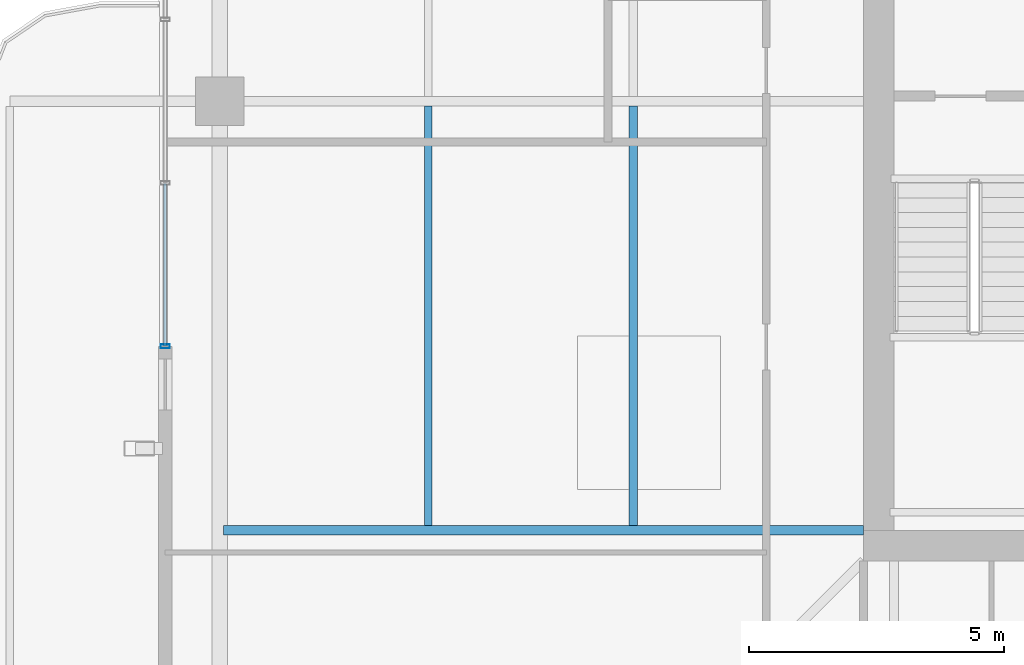
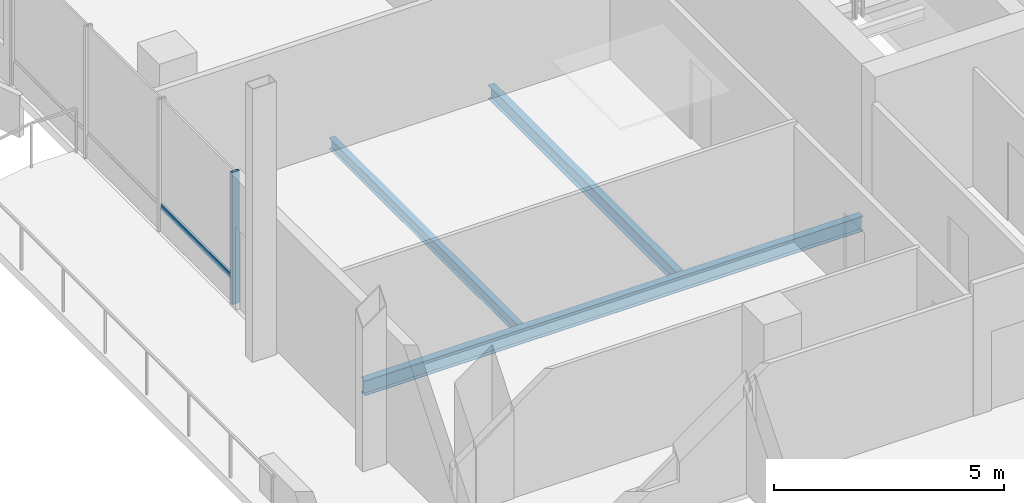
# One storey, part 6 of 20: 3 beams, 2 members, 1 element without a shape of its own.
"""IFC4 building model written with IfcOpenShell, lengths in metres."""

from ifc_helpers import new_model, si_unit, direction, frame, origin, origin_2d, place, context, subcontext, project, spatial, hollow_rectangle, i_section, extrude, material, layer, layer_set, material_profile, profile_set, type_object, element, aggregate, save


model = new_model("IFC4")

# Units and contexts
model_context = context("Model", 3, precision=1e-05, world=origin(), true_north=direction((0.0, 1.0)))
body_context = subcontext(model_context, "Body", "Model", "MODEL_VIEW")
ifc_project = project(units=[si_unit("LENGTHUNIT", "METRE"), si_unit("AREAUNIT", "SQUARE_METRE"), si_unit("VOLUMEUNIT", "CUBIC_METRE"), si_unit("PLANEANGLEUNIT", "RADIAN"), si_unit("MASSUNIT", "GRAM", prefix="KILO")], contexts=[model_context])

# Site, building, storey
site_placement = place(None, origin())
site = spatial("IfcSite", under=ifc_project, at=site_placement, CompositionType="ELEMENT")
building_placement = place(site_placement, origin())
building = spatial("IfcBuilding", under=site, at=building_placement, Name="Belovzor Exchange Tower", CompositionType="ELEMENT")
storey_placement = place(building_placement, frame((0.0, 0.0, 321.75)))
storey = spatial("IfcBuildingStorey", under=building, at=storey_placement, Name="L80", CompositionType="ELEMENT", Elevation=321.75)

# Beams
ifc_material_1 = material(Name="Steel S355", Category="steel")
ifc_material_profile_1 = material_profile(ifc_material_1, i_section(OverallWidth=0.169921875, OverallDepth=0.360107421875, WebThickness=0.008056640625, FlangeThickness=0.0126953125, at=origin_2d()))
ifc_profile_set_1 = profile_set([ifc_material_profile_1], Name="Steel S355")
beam_type_1 = type_object("IfcBeamType", Name="Secondary Infill Floor Joist IPE 360", PredefinedType="BEAM", material=ifc_profile_set_1)
beam_1_placement = place(storey_placement, frame((15.291015625, 20.489990234375, -0.419921875), z_axis=(0.0, 1.0, 0.0), x_axis=(-1.0, 0.0, 0.0)))
element("IfcBeam", 1, at=beam_1_placement, inside=storey, type_object=beam_type_1, Name="FJ-360 Secondary Infill Floor Joist IPE 360", PredefinedType="BEAM", context=body_context, shape_type="SweptSolid", body=[
    extrude(i_section(OverallWidth=0.169921875, OverallDepth=0.360107421875, WebThickness=0.008056640625, FlangeThickness=0.0126953125, at=origin_2d()), origin(), (0.0, 0.0, 1.0), 8.219970703125),
])
ifc_material_2 = material(Name="Steel S355", Category="steel")
ifc_material_profile_2 = material_profile(ifc_material_2, i_section(OverallWidth=0.14990234375, OverallDepth=0.300048828125, WebThickness=0.007080078125, FlangeThickness=0.0107421875, at=origin_2d()))
ifc_profile_set_2 = profile_set([ifc_material_profile_2], Name="Steel S355")
beam_type_2 = type_object("IfcBeamType", Name="Secondary Trim Floor Joist IPE 300", PredefinedType="BEAM", material=ifc_profile_set_2)
beam_2_placement = place(storey_placement, frame((11.282958984375, 20.489990234375, -0.389892578125), z_axis=(0.0, 1.0, 0.0), x_axis=(-1.0, 0.0, 0.0)))
element("IfcBeam", 2, at=beam_2_placement, inside=storey, type_object=beam_type_2, Name="FJ-300 Secondary Trim Floor Joist IPE 300", PredefinedType="BEAM", context=body_context, shape_type="SweptSolid", body=[
    extrude(i_section(OverallWidth=0.14990234375, OverallDepth=0.300048828125, WebThickness=0.007080078125, FlangeThickness=0.0107421875, at=origin_2d()), origin(), (0.0, 0.0, 1.0), 8.219970703125),
])

# Curtain wall, members
ifc_material_3 = material(Name="Anodised Aluminium Framing", Category="aluminium")
ifc_layer = layer(ifc_material_3, 0.179931640625)
ifc_layer_set = layer_set([ifc_layer], Name="Anodised Aluminium Framing")
curtain_wall_type = type_object("IfcCurtainWallType", Name="Recessed Loggia Low-Iron Triple-Glazed Curtain Wall", PredefinedType="NOTDEFINED", material=ifc_layer_set)
curtain_wall_placement = place(storey_placement, origin())
curtain_wall = element("IfcCurtainWall", 3, at=curtain_wall_placement, inside=storey, type_object=curtain_wall_type, Name="CW3 Recessed Loggia Low-Iron Triple-Glazed Curtain Wall L80", PredefinedType="NOTDEFINED")
ifc_material_4 = material(Name="Steel S355", Category="steel")
ifc_material_profile_3 = material_profile(ifc_material_4, hollow_rectangle(XDim=0.074951171875, YDim=0.179931640625, WallThickness=0.0048828125, at=origin_2d()))
ifc_profile_set_3 = profile_set([ifc_material_profile_3], Name="Steel S355")
member_type_1 = type_object("IfcMemberType", Name="Thermally Broken Curtain Wall Mullion 180x75", PredefinedType="MULLION", material=ifc_profile_set_3)
member_1_placement = place(storey_placement, frame((6.1298828125, 24.0, 0.0), z_axis=(0.0, 0.0, 1.0), x_axis=(0.0, 1.0, 0.0)))
member_1 = element("IfcMember", 4, at=member_1_placement, type_object=member_type_1, Name="CW-M180 Curtain Wall Mullion 1", PredefinedType="MULLION", context=body_context, shape_type="SweptSolid", body=[
    extrude(hollow_rectangle(XDim=0.074951171875, YDim=0.179931640625, WallThickness=0.0048828125, at=origin_2d()), origin(), (0.0, 0.0, 1.0), 3.510009765625),
])
ifc_material_5 = material(Name="Steel S355", Category="steel")
ifc_material_profile_4 = material_profile(ifc_material_5, hollow_rectangle(XDim=0.06005859375, YDim=0.14990234375, WallThickness=0.00390625, at=origin_2d()))
ifc_profile_set_4 = profile_set([ifc_material_profile_4], Name="Steel S355")
member_type_2 = type_object("IfcMemberType", Name="Thermally Broken Curtain Wall Transom 150x60", PredefinedType="USERDEFINED", material=ifc_profile_set_4)
member_2_placement = place(storey_placement, frame((6.1298828125, 24.008056640625, 0.632080078125), z_axis=(0.0, 1.0, 0.0), x_axis=(-1.0, 0.0, 0.0)))
member_2 = element("IfcMember", 5, at=member_2_placement, type_object=member_type_2, Name="CW-T150 Curtain Wall Transom 1", ObjectType="TRANSOM", PredefinedType="USERDEFINED", context=body_context, shape_type="SweptSolid", body=[
    extrude(hollow_rectangle(XDim=0.06005859375, YDim=0.14990234375, WallThickness=0.00390625, at=origin_2d()), origin(), (0.0, 0.0, 1.0), 3.183837890625),
])
aggregate(curtain_wall, [member_1, member_2])

# Beam
ifc_material_6 = material(Name="Steel S355", Category="steel")
ifc_material_profile_5 = material_profile(ifc_material_6, i_section(OverallWidth=0.179931640625, OverallDepth=0.39990234375, WebThickness=0.008544921875, FlangeThickness=0.013427734375, at=origin_2d()))
ifc_profile_set_5 = profile_set([ifc_material_profile_5], Name="Steel S355")
beam_type_3 = type_object("IfcBeamType", Name="Zone 5-6 Radial Composite Floor Beam IPE 400", PredefinedType="BEAM", material=ifc_profile_set_5)
beam_3_placement = place(storey_placement, frame((19.800048828125, 20.39990234375, -0.43994140625), z_axis=(-1.0, 0.0, 0.0), x_axis=(0.0, -1.0, 0.0)))
element("IfcBeam", 6, at=beam_3_placement, inside=storey, type_object=beam_type_3, Name="FB-400 Zone 5-6 Radial Composite Floor Beam IPE 400", PredefinedType="BEAM", context=body_context, shape_type="SweptSolid", body=[
    extrude(i_section(OverallWidth=0.179931640625, OverallDepth=0.39990234375, WebThickness=0.008544921875, FlangeThickness=0.013427734375, at=origin_2d()), origin(), (0.0, 0.0, 1.0), 12.525146484375),
])

save(model, "model.ifc")
